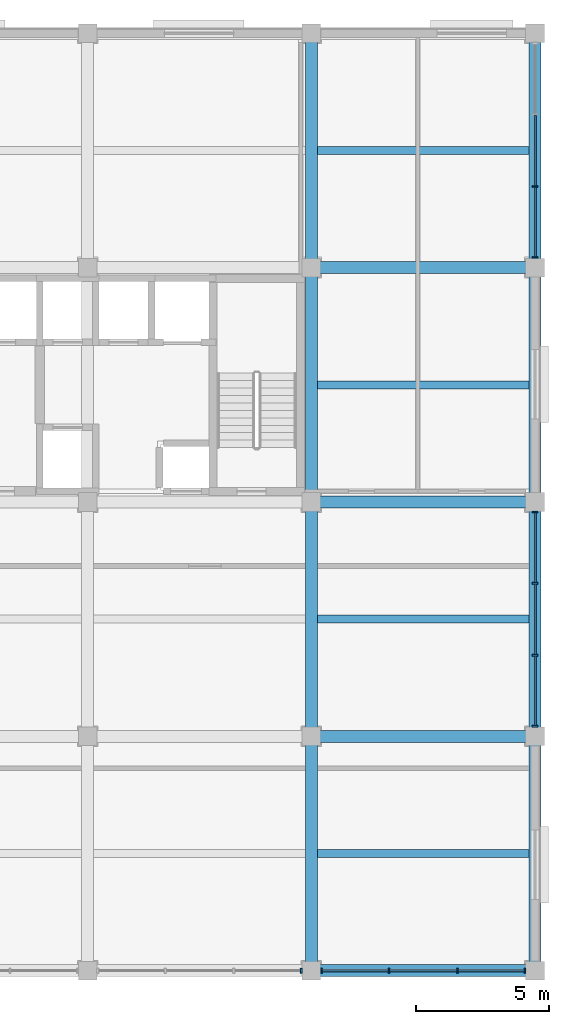
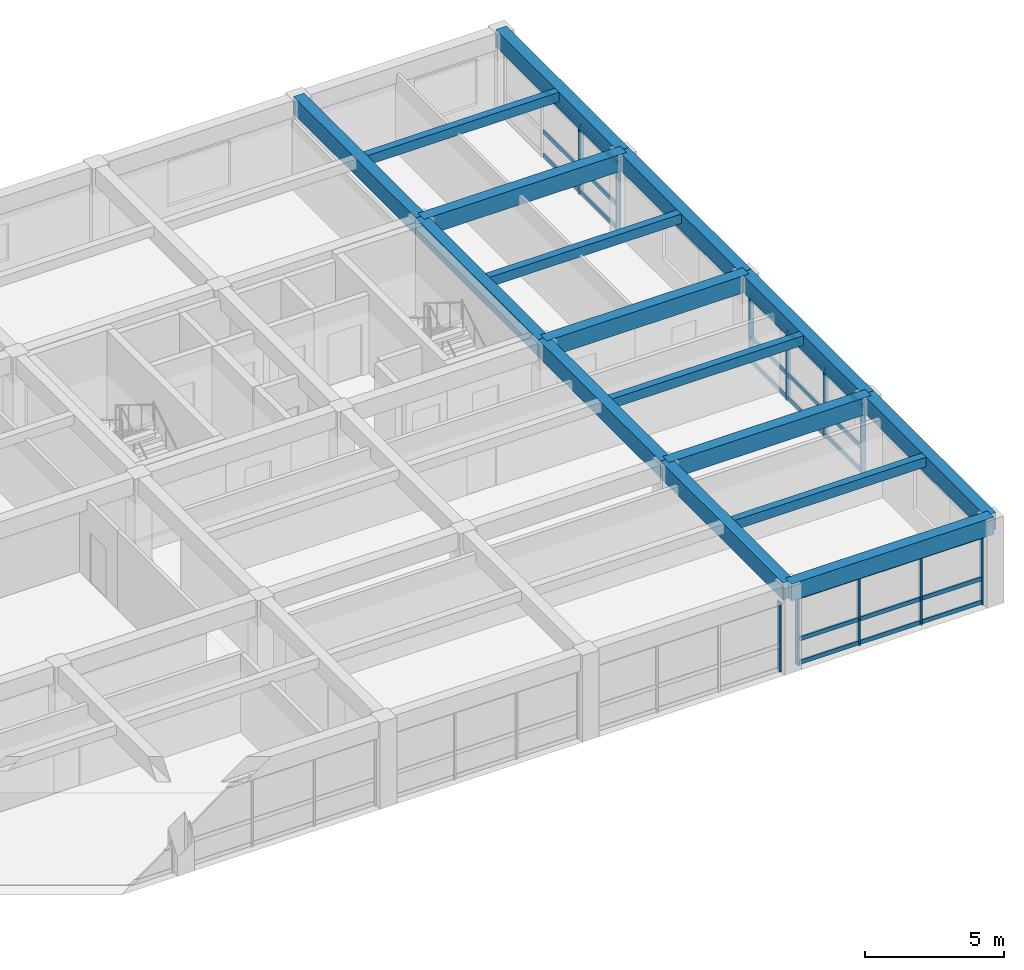
# One storey, part 5 of 13: 35 members, 16 beams, 4 elements without a shape of their own.
"""IFC4 building model written with IfcOpenShell, lengths in metres."""

from ifc_helpers import new_model, si_unit, direction, frame, origin, origin_2d, place, context, subcontext, project, spatial, rectangle, extrude, material, material_profile, profile_set, type_object, element, aggregate, save


model = new_model("IFC4")

# Units and contexts
model_context = context("Model", 3, precision=1e-05, world=origin(), true_north=direction((0.0, 1.0)))
body_context = subcontext(model_context, "Body", "Model", "MODEL_VIEW")
ifc_project = project(units=[si_unit("LENGTHUNIT", "METRE"), si_unit("AREAUNIT", "SQUARE_METRE"), si_unit("VOLUMEUNIT", "CUBIC_METRE"), si_unit("PLANEANGLEUNIT", "RADIAN"), si_unit("MASSUNIT", "GRAM", prefix="KILO")], contexts=[model_context])

# Site, building, storey
site_placement = place(None, origin())
site = spatial("IfcSite", under=ifc_project, at=site_placement, CompositionType="ELEMENT")
building_placement = place(site_placement, origin())
building = spatial("IfcBuilding", under=site, at=building_placement, Name="Kemercrest Conservatory and Botanical Centre", CompositionType="ELEMENT")
storey_placement = place(building_placement, frame((0.0, 0.0, 36.800048828125)))
storey = spatial("IfcBuildingStorey", under=building, at=storey_placement, Name="L09", CompositionType="ELEMENT", Elevation=36.800048828125)

# Beams
ifc_material_1 = material(Name="Concrete C40/50", Category="concrete")
ifc_material_profile_1 = material_profile(ifc_material_1, rectangle(XDim=0.449951171875, YDim=0.75, at=origin_2d()), Name="RC 450x750")
ifc_profile_set_1 = profile_set([ifc_material_profile_1], Name="Concrete C40/50")
beam_type_1 = type_object("IfcBeamType", Name="BM-RC75", PredefinedType="BEAM", material=ifc_profile_set_1)
for number, where, z_axis, x_axis, name in (
    (1, (167.60009765625, 96.0, 3.425048828125), (1.0, 0.0, 0.0), (0.0, 1.0, 0.0), "V4-L10 beam BM-RC75 L/20-21"),
    (2, (167.60009765625, 104.800048828125, 3.425048828125), (1.0, 0.0, 0.0), (0.0, 1.0, 0.0), "V4-L10 beam BM-RC75 M/20-21"),
    (3, (167.60009765625, 113.60009765625, 3.425048828125), (1.0, 0.0, 0.0), (0.0, 1.0, 0.0), "V4-L10 beam BM-RC75 N/20-21"),
):
    element("IfcBeam", number, at=place(storey_placement, frame(where, z_axis=z_axis, x_axis=x_axis)), inside=storey, type_object=beam_type_1, Name=name, PredefinedType="BEAM", context=body_context, shape_type="SweptSolid", body=[
        extrude(rectangle(XDim=0.449951171875, YDim=0.75, at=origin_2d()), origin(), (0.0, 0.0, 1.0), 8.39990234375),
    ])
for number, where, z_axis, x_axis, name in (
    (4, (167.60009765625, 87.199951171875, 3.425048828125), (0.0, 1.0, 0.0), (-1.0, 0.0, 0.0), "V4-L10 beam BM-RC75 20/K-L"),
    (5, (167.60009765625, 96.0, 3.425048828125), (0.0, 1.0, 0.0), (-1.0, 0.0, 0.0), "V4-L10 beam BM-RC75 20/L-M"),
    (6, (167.60009765625, 104.800048828125, 3.425048828125), (0.0, 1.0, 0.0), (-1.0, 0.0, 0.0), "V4-L10 beam BM-RC75 20/M-N"),
):
    element("IfcBeam", number, at=place(storey_placement, frame(where, z_axis=z_axis, x_axis=x_axis)), inside=storey, type_object=beam_type_1, Name=name, PredefinedType="BEAM", context=body_context, shape_type="SweptSolid", body=[
        extrude(rectangle(XDim=0.449951171875, YDim=0.75, at=origin_2d()), origin(), (0.0, 0.0, 1.0), 8.800048828125),
    ])
beam_1_placement = place(storey_placement, frame((167.60009765625, 113.60009765625, 3.425048828125), z_axis=(0.0, 1.0, 0.0), x_axis=(-1.0, 0.0, 0.0)))
element("IfcBeam", 7, at=beam_1_placement, inside=storey, type_object=beam_type_1, Name="V4-L10 beam BM-RC75 20/N-P", PredefinedType="BEAM", context=body_context, shape_type="SweptSolid", body=[
    extrude(rectangle(XDim=0.449951171875, YDim=0.75, at=origin_2d()), origin(), (0.0, 0.0, 1.0), 8.7998046875),
])

# Curtain wall, member
ifc_material_2 = material(Name="Thermally broken aluminium and triple low-e glazing", Category="aluminium")
curtain_wall_type_1 = type_object("IfcCurtainWallType", Name="CW-14", PredefinedType="USERDEFINED", material=ifc_material_2)
curtain_wall_1_placement = place(storey_placement, origin())
curtain_wall_1 = element("IfcCurtainWall", 8, at=curtain_wall_1_placement, inside=storey, type_object=curtain_wall_type_1, Name="Unitised curtain wall CW-14 (CW:L09:V4-103)", ObjectType="UNITISED CURTAIN WALL", PredefinedType="USERDEFINED")
ifc_material_3 = material(Name="Thermally broken anodized aluminium 6063-T6", Category="aluminium")
ifc_material_profile_2 = material_profile(ifc_material_3, rectangle(XDim=0.199951171875, YDim=0.06494140625, at=origin_2d()), Name="AL MULLION 65x200")
ifc_profile_set_2 = profile_set([ifc_material_profile_2], Name="Thermally broken anodized aluminium 6063-T6")
member_type_1 = type_object("IfcMemberType", Name="CW-M200", PredefinedType="MULLION", material=ifc_profile_set_2)
member_1_placement = place(storey_placement, frame((167.222412109375, 87.199951171875, 0.0), z_axis=(0.0, 0.0, 1.0), x_axis=(0.0, 1.0, 0.0)))
member_1 = element("IfcMember", 9, at=member_1_placement, type_object=member_type_1, Name="CW-14 mullion 4", PredefinedType="MULLION", context=body_context, shape_type="SweptSolid", body=[
    extrude(rectangle(XDim=0.199951171875, YDim=0.06494140625, at=origin_2d()), origin(), (0.0, 0.0, 1.0), 3.054931640625),
])
aggregate(curtain_wall_1, [member_1])

# Curtain wall, members
curtain_wall_type_2 = type_object("IfcCurtainWallType", Name="CW-15", PredefinedType="USERDEFINED", material=ifc_material_2)
curtain_wall_2_placement = place(storey_placement, origin())
curtain_wall_2 = element("IfcCurtainWall", 10, at=curtain_wall_2_placement, inside=storey, type_object=curtain_wall_type_2, Name="Unitised curtain wall CW-15 (CW:L09:V4-104)", ObjectType="UNITISED CURTAIN WALL", PredefinedType="USERDEFINED")
member_2_placement = place(storey_placement, frame((167.9775390625, 87.199951171875, 0.0), z_axis=(0.0, 0.0, 1.0), x_axis=(0.0, 1.0, 0.0)))
member_2 = element("IfcMember", 11, at=member_2_placement, type_object=member_type_1, Name="CW-15 mullion 1", PredefinedType="MULLION", context=body_context, shape_type="SweptSolid", body=[
    extrude(rectangle(XDim=0.199951171875, YDim=0.06494140625, at=origin_2d()), origin(), (0.0, 0.0, 1.0), 3.054931640625),
])
member_3_placement = place(storey_placement, frame((170.514892578125, 87.199951171875, 0.0), z_axis=(0.0, 0.0, 1.0), x_axis=(0.0, 1.0, 0.0)))
member_3 = element("IfcMember", 12, at=member_3_placement, type_object=member_type_1, Name="CW-15 mullion 2", PredefinedType="MULLION", context=body_context, shape_type="SweptSolid", body=[
    extrude(rectangle(XDim=0.199951171875, YDim=0.06494140625, at=origin_2d()), origin(), (0.0, 0.0, 1.0), 3.054931640625),
])
member_4_placement = place(storey_placement, frame((173.0849609375, 87.199951171875, 0.0), z_axis=(0.0, 0.0, 1.0), x_axis=(0.0, 1.0, 0.0)))
member_4 = element("IfcMember", 13, at=member_4_placement, type_object=member_type_1, Name="CW-15 mullion 3", PredefinedType="MULLION", context=body_context, shape_type="SweptSolid", body=[
    extrude(rectangle(XDim=0.199951171875, YDim=0.06494140625, at=origin_2d()), origin(), (0.0, 0.0, 1.0), 3.054931640625),
])
member_5_placement = place(storey_placement, frame((175.62255859375, 87.199951171875, 0.0), z_axis=(0.0, 0.0, 1.0), x_axis=(0.0, 1.0, 0.0)))
member_5 = element("IfcMember", 14, at=member_5_placement, type_object=member_type_1, Name="CW-15 mullion 4", PredefinedType="MULLION", context=body_context, shape_type="SweptSolid", body=[
    extrude(rectangle(XDim=0.199951171875, YDim=0.06494140625, at=origin_2d()), origin(), (0.0, 0.0, 1.0), 3.054931640625),
])

curtain_wall_type_3 = type_object("IfcCurtainWallType", Name="CW-16", PredefinedType="USERDEFINED", material=ifc_material_2)
curtain_wall_3_placement = place(storey_placement, origin())
curtain_wall_3 = element("IfcCurtainWall", 15, at=curtain_wall_3_placement, inside=storey, type_object=curtain_wall_type_3, Name="Unitised curtain wall CW-16 (CW:L09:V4-105)", ObjectType="UNITISED CURTAIN WALL", PredefinedType="USERDEFINED")
member_6_placement = place(storey_placement, frame((176.0, 96.37744140625, 0.0), z_axis=(0.0, 0.0, 1.0), x_axis=(-1.0, 0.0, 0.0)))
member_6 = element("IfcMember", 16, at=member_6_placement, type_object=member_type_1, Name="CW-16 mullion 1", PredefinedType="MULLION", context=body_context, shape_type="SweptSolid", body=[
    extrude(rectangle(XDim=0.199951171875, YDim=0.06494140625, at=origin_2d()), origin(), (0.0, 0.0, 1.0), 3.054931640625),
])
member_7_placement = place(storey_placement, frame((176.0, 99.04833984375, 0.0), z_axis=(0.0, 0.0, 1.0), x_axis=(-1.0, 0.0, 0.0)))
member_7 = element("IfcMember", 17, at=member_7_placement, type_object=member_type_1, Name="CW-16 mullion 2", PredefinedType="MULLION", context=body_context, shape_type="SweptSolid", body=[
    extrude(rectangle(XDim=0.199951171875, YDim=0.06494140625, at=origin_2d()), origin(), (0.0, 0.0, 1.0), 3.054931640625),
])
member_8_placement = place(storey_placement, frame((176.0, 101.751708984375, 0.0), z_axis=(0.0, 0.0, 1.0), x_axis=(-1.0, 0.0, 0.0)))
member_8 = element("IfcMember", 18, at=member_8_placement, type_object=member_type_1, Name="CW-16 mullion 3", PredefinedType="MULLION", context=body_context, shape_type="SweptSolid", body=[
    extrude(rectangle(XDim=0.199951171875, YDim=0.06494140625, at=origin_2d()), origin(), (0.0, 0.0, 1.0), 3.054931640625),
])
member_9_placement = place(storey_placement, frame((176.0, 104.422607421875, 0.0), z_axis=(0.0, 0.0, 1.0), x_axis=(-1.0, 0.0, 0.0)))
member_9 = element("IfcMember", 19, at=member_9_placement, type_object=member_type_1, Name="CW-16 mullion 4", PredefinedType="MULLION", context=body_context, shape_type="SweptSolid", body=[
    extrude(rectangle(XDim=0.199951171875, YDim=0.06494140625, at=origin_2d()), origin(), (0.0, 0.0, 1.0), 3.054931640625),
])

curtain_wall_type_4 = type_object("IfcCurtainWallType", Name="CW-17", PredefinedType="USERDEFINED", material=ifc_material_2)
curtain_wall_4_placement = place(storey_placement, origin())
curtain_wall_4 = element("IfcCurtainWall", 20, at=curtain_wall_4_placement, inside=storey, type_object=curtain_wall_type_4, Name="Unitised curtain wall CW-17 (CW:L09:V4-106)", ObjectType="UNITISED CURTAIN WALL", PredefinedType="USERDEFINED")
member_10_placement = place(storey_placement, frame((176.0, 113.9775390625, 0.0), z_axis=(0.0, 0.0, 1.0), x_axis=(-1.0, 0.0, 0.0)))
member_10 = element("IfcMember", 21, at=member_10_placement, type_object=member_type_1, Name="CW-17 mullion 1", PredefinedType="MULLION", context=body_context, shape_type="SweptSolid", body=[
    extrude(rectangle(XDim=0.199951171875, YDim=0.06494140625, at=origin_2d()), origin(), (0.0, 0.0, 1.0), 3.054931640625),
])
member_11_placement = place(storey_placement, frame((176.0, 116.6484375, 0.0), z_axis=(0.0, 0.0, 1.0), x_axis=(-1.0, 0.0, 0.0)))
member_11 = element("IfcMember", 22, at=member_11_placement, type_object=member_type_1, Name="CW-17 mullion 2", PredefinedType="MULLION", context=body_context, shape_type="SweptSolid", body=[
    extrude(rectangle(XDim=0.199951171875, YDim=0.06494140625, at=origin_2d()), origin(), (0.0, 0.0, 1.0), 3.054931640625),
])

# Member
ifc_material_profile_3 = material_profile(ifc_material_3, rectangle(XDim=0.074951171875, YDim=0.179931640625, at=origin_2d()), Name="AL TRANSOM 75x180")
ifc_profile_set_3 = profile_set([ifc_material_profile_3], Name="Thermally broken anodized aluminium 6063-T6")
member_type_2 = type_object("IfcMemberType", Name="CW-T180", PredefinedType="USERDEFINED", material=ifc_profile_set_3)
member_12_placement = place(storey_placement, frame((168.010009765625, 87.199951171875, 0.08984375), z_axis=(1.0, 0.0, 0.0), x_axis=(0.0, 1.0, 0.0)))
member_12 = element("IfcMember", 23, at=member_12_placement, type_object=member_type_2, Name="CW-15 transom 1.1", ObjectType="TRANSOM", PredefinedType="USERDEFINED", context=body_context, shape_type="SweptSolid", body=[
    extrude(rectangle(XDim=0.074951171875, YDim=0.179931640625, at=origin_2d()), origin(), (0.0, 0.0, 1.0), 2.472412109375),
])

member_13_placement = place(storey_placement, frame((168.010009765625, 87.199951171875, 1.119873046875), z_axis=(1.0, 0.0, 0.0), x_axis=(0.0, 1.0, 0.0)))
member_13 = element("IfcMember", 24, at=member_13_placement, type_object=member_type_2, Name="CW-15 transom 1.2", ObjectType="TRANSOM", PredefinedType="USERDEFINED", context=body_context, shape_type="SweptSolid", body=[
    extrude(rectangle(XDim=0.074951171875, YDim=0.179931640625, at=origin_2d()), origin(), (0.0, 0.0, 1.0), 2.472412109375),
])

member_14_placement = place(storey_placement, frame((168.010009765625, 87.199951171875, 2.96484375), z_axis=(1.0, 0.0, 0.0), x_axis=(0.0, 1.0, 0.0)))
member_14 = element("IfcMember", 25, at=member_14_placement, type_object=member_type_2, Name="CW-15 transom 1.3", ObjectType="TRANSOM", PredefinedType="USERDEFINED", context=body_context, shape_type="SweptSolid", body=[
    extrude(rectangle(XDim=0.074951171875, YDim=0.179931640625, at=origin_2d()), origin(), (0.0, 0.0, 1.0), 2.472412109375),
])

member_15_placement = place(storey_placement, frame((170.547607421875, 87.199951171875, 0.08984375), z_axis=(1.0, 0.0, 0.0), x_axis=(0.0, 1.0, 0.0)))
member_15 = element("IfcMember", 26, at=member_15_placement, type_object=member_type_2, Name="CW-15 transom 2.1", ObjectType="TRANSOM", PredefinedType="USERDEFINED", context=body_context, shape_type="SweptSolid", body=[
    extrude(rectangle(XDim=0.074951171875, YDim=0.179931640625, at=origin_2d()), origin(), (0.0, 0.0, 1.0), 2.5048828125),
])

member_16_placement = place(storey_placement, frame((170.547607421875, 87.199951171875, 1.119873046875), z_axis=(1.0, 0.0, 0.0), x_axis=(0.0, 1.0, 0.0)))
member_16 = element("IfcMember", 27, at=member_16_placement, type_object=member_type_2, Name="CW-15 transom 2.2", ObjectType="TRANSOM", PredefinedType="USERDEFINED", context=body_context, shape_type="SweptSolid", body=[
    extrude(rectangle(XDim=0.074951171875, YDim=0.179931640625, at=origin_2d()), origin(), (0.0, 0.0, 1.0), 2.5048828125),
])

member_17_placement = place(storey_placement, frame((170.547607421875, 87.199951171875, 2.96484375), z_axis=(1.0, 0.0, 0.0), x_axis=(0.0, 1.0, 0.0)))
member_17 = element("IfcMember", 28, at=member_17_placement, type_object=member_type_2, Name="CW-15 transom 2.3", ObjectType="TRANSOM", PredefinedType="USERDEFINED", context=body_context, shape_type="SweptSolid", body=[
    extrude(rectangle(XDim=0.074951171875, YDim=0.179931640625, at=origin_2d()), origin(), (0.0, 0.0, 1.0), 2.5048828125),
])

member_18_placement = place(storey_placement, frame((173.117431640625, 87.199951171875, 0.08984375), z_axis=(1.0, 0.0, 0.0), x_axis=(0.0, 1.0, 0.0)))
member_18 = element("IfcMember", 29, at=member_18_placement, type_object=member_type_2, Name="CW-15 transom 3.1", ObjectType="TRANSOM", PredefinedType="USERDEFINED", context=body_context, shape_type="SweptSolid", body=[
    extrude(rectangle(XDim=0.074951171875, YDim=0.179931640625, at=origin_2d()), origin(), (0.0, 0.0, 1.0), 2.47265625),
])

member_19_placement = place(storey_placement, frame((173.117431640625, 87.199951171875, 1.119873046875), z_axis=(1.0, 0.0, 0.0), x_axis=(0.0, 1.0, 0.0)))
member_19 = element("IfcMember", 30, at=member_19_placement, type_object=member_type_2, Name="CW-15 transom 3.2", ObjectType="TRANSOM", PredefinedType="USERDEFINED", context=body_context, shape_type="SweptSolid", body=[
    extrude(rectangle(XDim=0.074951171875, YDim=0.179931640625, at=origin_2d()), origin(), (0.0, 0.0, 1.0), 2.47265625),
])

member_20_placement = place(storey_placement, frame((173.117431640625, 87.199951171875, 2.96484375), z_axis=(1.0, 0.0, 0.0), x_axis=(0.0, 1.0, 0.0)))
member_20 = element("IfcMember", 31, at=member_20_placement, type_object=member_type_2, Name="CW-15 transom 3.3", ObjectType="TRANSOM", PredefinedType="USERDEFINED", context=body_context, shape_type="SweptSolid", body=[
    extrude(rectangle(XDim=0.074951171875, YDim=0.179931640625, at=origin_2d()), origin(), (0.0, 0.0, 1.0), 2.47265625),
])

aggregate(curtain_wall_2, [member_2, member_3, member_4, member_5, member_12, member_13, member_14, member_15, member_16, member_17, member_18, member_19, member_20])

member_21_placement = place(storey_placement, frame((176.0, 96.409912109375, 0.08984375), z_axis=(0.0, 1.0, 0.0), x_axis=(-1.0, 0.0, 0.0)))
member_21 = element("IfcMember", 32, at=member_21_placement, type_object=member_type_2, Name="CW-16 transom 1.1", ObjectType="TRANSOM", PredefinedType="USERDEFINED", context=body_context, shape_type="SweptSolid", body=[
    extrude(rectangle(XDim=0.074951171875, YDim=0.179931640625, at=origin_2d()), origin(), (0.0, 0.0, 1.0), 2.60595703125),
])

member_22_placement = place(storey_placement, frame((176.0, 96.409912109375, 1.119873046875), z_axis=(0.0, 1.0, 0.0), x_axis=(-1.0, 0.0, 0.0)))
member_22 = element("IfcMember", 33, at=member_22_placement, type_object=member_type_2, Name="CW-16 transom 1.2", ObjectType="TRANSOM", PredefinedType="USERDEFINED", context=body_context, shape_type="SweptSolid", body=[
    extrude(rectangle(XDim=0.074951171875, YDim=0.179931640625, at=origin_2d()), origin(), (0.0, 0.0, 1.0), 2.60595703125),
])

member_23_placement = place(storey_placement, frame((176.0, 96.409912109375, 2.96484375), z_axis=(0.0, 1.0, 0.0), x_axis=(-1.0, 0.0, 0.0)))
member_23 = element("IfcMember", 34, at=member_23_placement, type_object=member_type_2, Name="CW-16 transom 1.3", ObjectType="TRANSOM", PredefinedType="USERDEFINED", context=body_context, shape_type="SweptSolid", body=[
    extrude(rectangle(XDim=0.074951171875, YDim=0.179931640625, at=origin_2d()), origin(), (0.0, 0.0, 1.0), 2.60595703125),
])

member_24_placement = place(storey_placement, frame((176.0, 99.080810546875, 0.08984375), z_axis=(0.0, 1.0, 0.0), x_axis=(-1.0, 0.0, 0.0)))
member_24 = element("IfcMember", 35, at=member_24_placement, type_object=member_type_2, Name="CW-16 transom 2.1", ObjectType="TRANSOM", PredefinedType="USERDEFINED", context=body_context, shape_type="SweptSolid", body=[
    extrude(rectangle(XDim=0.074951171875, YDim=0.179931640625, at=origin_2d()), origin(), (0.0, 0.0, 1.0), 2.638427734375),
])

member_25_placement = place(storey_placement, frame((176.0, 99.080810546875, 1.119873046875), z_axis=(0.0, 1.0, 0.0), x_axis=(-1.0, 0.0, 0.0)))
member_25 = element("IfcMember", 36, at=member_25_placement, type_object=member_type_2, Name="CW-16 transom 2.2", ObjectType="TRANSOM", PredefinedType="USERDEFINED", context=body_context, shape_type="SweptSolid", body=[
    extrude(rectangle(XDim=0.074951171875, YDim=0.179931640625, at=origin_2d()), origin(), (0.0, 0.0, 1.0), 2.638427734375),
])

member_26_placement = place(storey_placement, frame((176.0, 99.080810546875, 2.96484375), z_axis=(0.0, 1.0, 0.0), x_axis=(-1.0, 0.0, 0.0)))
member_26 = element("IfcMember", 37, at=member_26_placement, type_object=member_type_2, Name="CW-16 transom 2.3", ObjectType="TRANSOM", PredefinedType="USERDEFINED", context=body_context, shape_type="SweptSolid", body=[
    extrude(rectangle(XDim=0.074951171875, YDim=0.179931640625, at=origin_2d()), origin(), (0.0, 0.0, 1.0), 2.638427734375),
])

member_27_placement = place(storey_placement, frame((176.0, 101.7841796875, 0.08984375), z_axis=(0.0, 1.0, 0.0), x_axis=(-1.0, 0.0, 0.0)))
member_27 = element("IfcMember", 38, at=member_27_placement, type_object=member_type_2, Name="CW-16 transom 3.1", ObjectType="TRANSOM", PredefinedType="USERDEFINED", context=body_context, shape_type="SweptSolid", body=[
    extrude(rectangle(XDim=0.074951171875, YDim=0.179931640625, at=origin_2d()), origin(), (0.0, 0.0, 1.0), 2.605712890625),
])

member_28_placement = place(storey_placement, frame((176.0, 101.7841796875, 1.119873046875), z_axis=(0.0, 1.0, 0.0), x_axis=(-1.0, 0.0, 0.0)))
member_28 = element("IfcMember", 39, at=member_28_placement, type_object=member_type_2, Name="CW-16 transom 3.2", ObjectType="TRANSOM", PredefinedType="USERDEFINED", context=body_context, shape_type="SweptSolid", body=[
    extrude(rectangle(XDim=0.074951171875, YDim=0.179931640625, at=origin_2d()), origin(), (0.0, 0.0, 1.0), 2.605712890625),
])

member_29_placement = place(storey_placement, frame((176.0, 101.7841796875, 2.96484375), z_axis=(0.0, 1.0, 0.0), x_axis=(-1.0, 0.0, 0.0)))
member_29 = element("IfcMember", 40, at=member_29_placement, type_object=member_type_2, Name="CW-16 transom 3.3", ObjectType="TRANSOM", PredefinedType="USERDEFINED", context=body_context, shape_type="SweptSolid", body=[
    extrude(rectangle(XDim=0.074951171875, YDim=0.179931640625, at=origin_2d()), origin(), (0.0, 0.0, 1.0), 2.605712890625),
])

aggregate(curtain_wall_3, [member_6, member_7, member_8, member_9, member_21, member_22, member_23, member_24, member_25, member_26, member_27, member_28, member_29])

member_30_placement = place(storey_placement, frame((176.0, 114.010009765625, 0.08984375), z_axis=(0.0, 1.0, 0.0), x_axis=(-1.0, 0.0, 0.0)))
member_30 = element("IfcMember", 41, at=member_30_placement, type_object=member_type_2, Name="CW-17 transom 1.1", ObjectType="TRANSOM", PredefinedType="USERDEFINED", context=body_context, shape_type="SweptSolid", body=[
    extrude(rectangle(XDim=0.074951171875, YDim=0.179931640625, at=origin_2d()), origin(), (0.0, 0.0, 1.0), 2.605712890625),
])

member_31_placement = place(storey_placement, frame((176.0, 114.010009765625, 1.119873046875), z_axis=(0.0, 1.0, 0.0), x_axis=(-1.0, 0.0, 0.0)))
member_31 = element("IfcMember", 42, at=member_31_placement, type_object=member_type_2, Name="CW-17 transom 1.2", ObjectType="TRANSOM", PredefinedType="USERDEFINED", context=body_context, shape_type="SweptSolid", body=[
    extrude(rectangle(XDim=0.074951171875, YDim=0.179931640625, at=origin_2d()), origin(), (0.0, 0.0, 1.0), 2.605712890625),
])

member_32_placement = place(storey_placement, frame((176.0, 114.010009765625, 2.96484375), z_axis=(0.0, 1.0, 0.0), x_axis=(-1.0, 0.0, 0.0)))
member_32 = element("IfcMember", 43, at=member_32_placement, type_object=member_type_2, Name="CW-17 transom 1.3", ObjectType="TRANSOM", PredefinedType="USERDEFINED", context=body_context, shape_type="SweptSolid", body=[
    extrude(rectangle(XDim=0.074951171875, YDim=0.179931640625, at=origin_2d()), origin(), (0.0, 0.0, 1.0), 2.605712890625),
])

member_33_placement = place(storey_placement, frame((176.0, 116.680908203125, 0.08984375), z_axis=(0.0, 1.0, 0.0), x_axis=(-1.0, 0.0, 0.0)))
member_33 = element("IfcMember", 44, at=member_33_placement, type_object=member_type_2, Name="CW-17 transom 2.1", ObjectType="TRANSOM", PredefinedType="USERDEFINED", context=body_context, shape_type="SweptSolid", body=[
    extrude(rectangle(XDim=0.074951171875, YDim=0.179931640625, at=origin_2d()), origin(), (0.0, 0.0, 1.0), 2.63818359375),
])

member_34_placement = place(storey_placement, frame((176.0, 116.680908203125, 1.119873046875), z_axis=(0.0, 1.0, 0.0), x_axis=(-1.0, 0.0, 0.0)))
member_34 = element("IfcMember", 45, at=member_34_placement, type_object=member_type_2, Name="CW-17 transom 2.2", ObjectType="TRANSOM", PredefinedType="USERDEFINED", context=body_context, shape_type="SweptSolid", body=[
    extrude(rectangle(XDim=0.074951171875, YDim=0.179931640625, at=origin_2d()), origin(), (0.0, 0.0, 1.0), 2.63818359375),
])

member_35_placement = place(storey_placement, frame((176.0, 116.680908203125, 2.96484375), z_axis=(0.0, 1.0, 0.0), x_axis=(-1.0, 0.0, 0.0)))
member_35 = element("IfcMember", 46, at=member_35_placement, type_object=member_type_2, Name="CW-17 transom 2.3", ObjectType="TRANSOM", PredefinedType="USERDEFINED", context=body_context, shape_type="SweptSolid", body=[
    extrude(rectangle(XDim=0.074951171875, YDim=0.179931640625, at=origin_2d()), origin(), (0.0, 0.0, 1.0), 2.63818359375),
])

aggregate(curtain_wall_4, [member_10, member_11, member_30, member_31, member_32, member_33, member_34, member_35])

# Beams
ifc_material_profile_4 = material_profile(ifc_material_1, rectangle(XDim=0.300048828125, YDim=0.419921875, at=origin_2d()), Name="RC 300x420")
ifc_profile_set_4 = profile_set([ifc_material_profile_4], Name="Concrete C40/50")
beam_type_2 = type_object("IfcBeamType", Name="JS-RC42", PredefinedType="JOIST", material=ifc_profile_set_4)
for number, where, z_axis, x_axis, name in (
    (47, (167.824951171875, 91.60009765625, 3.58984375), (1.0, 0.0, 0.0), (0.0, 1.0, 0.0), "V4-L10 secondary joist JS-RC42"),
    (48, (167.824951171875, 100.39990234375, 3.58984375), (1.0, 0.0, 0.0), (0.0, 1.0, 0.0), "V4-L10 secondary joist JS-RC42"),
    (49, (167.824951171875, 109.199951171875, 3.58984375), (1.0, 0.0, 0.0), (0.0, 1.0, 0.0), "V4-L10 secondary joist JS-RC42"),
    (50, (167.824951171875, 118.0, 3.58984375), (1.0, 0.0, 0.0), (0.0, 1.0, 0.0), "V4-L10 secondary joist JS-RC42"),
):
    element("IfcBeam", number, at=place(storey_placement, frame(where, z_axis=z_axis, x_axis=x_axis)), inside=storey, type_object=beam_type_2, Name=name, PredefinedType="JOIST", context=body_context, shape_type="SweptSolid", body=[
        extrude(rectangle(XDim=0.300048828125, YDim=0.419921875, at=origin_2d()), origin(), (0.0, 0.0, 1.0), 7.949951171875),
    ])
ifc_material_profile_5 = material_profile(ifc_material_1, rectangle(XDim=0.449951171875, YDim=0.75, at=origin_2d()), Name="RC 450x750")
ifc_profile_set_5 = profile_set([ifc_material_profile_5], Name="Concrete C40/50")
beam_type_3 = type_object("IfcBeamType", Name="SP-RC75", PredefinedType="SPANDREL", material=ifc_profile_set_5)
beam_2_placement = place(storey_placement, frame((167.60009765625, 87.199951171875, 3.425048828125), z_axis=(1.0, 0.0, 0.0), x_axis=(0.0, 1.0, 0.0)))
element("IfcBeam", 51, at=beam_2_placement, inside=storey, type_object=beam_type_3, Name="V4-L10 beam SP-RC75 K/20-21", PredefinedType="SPANDREL", context=body_context, shape_type="SweptSolid", body=[
    extrude(rectangle(XDim=0.449951171875, YDim=0.75, at=origin_2d()), origin(), (0.0, 0.0, 1.0), 8.39990234375),
])
for number, where, z_axis, x_axis, name in (
    (52, (176.0, 87.199951171875, 3.425048828125), (0.0, 1.0, 0.0), (-1.0, 0.0, 0.0), "V4-L10 beam SP-RC75 21/K-L"),
    (53, (176.0, 96.0, 3.425048828125), (0.0, 1.0, 0.0), (-1.0, 0.0, 0.0), "V4-L10 beam SP-RC75 21/L-M"),
    (54, (176.0, 104.800048828125, 3.425048828125), (0.0, 1.0, 0.0), (-1.0, 0.0, 0.0), "V4-L10 beam SP-RC75 21/M-N"),
):
    element("IfcBeam", number, at=place(storey_placement, frame(where, z_axis=z_axis, x_axis=x_axis)), inside=storey, type_object=beam_type_3, Name=name, PredefinedType="SPANDREL", context=body_context, shape_type="SweptSolid", body=[
        extrude(rectangle(XDim=0.449951171875, YDim=0.75, at=origin_2d()), origin(), (0.0, 0.0, 1.0), 8.800048828125),
    ])
beam_3_placement = place(storey_placement, frame((176.0, 113.60009765625, 3.425048828125), z_axis=(0.0, 1.0, 0.0), x_axis=(-1.0, 0.0, 0.0)))
element("IfcBeam", 55, at=beam_3_placement, inside=storey, type_object=beam_type_3, Name="V4-L10 beam SP-RC75 21/N-P", PredefinedType="SPANDREL", context=body_context, shape_type="SweptSolid", body=[
    extrude(rectangle(XDim=0.449951171875, YDim=0.75, at=origin_2d()), origin(), (0.0, 0.0, 1.0), 8.7998046875),
])

save(model, "model.ifc")
